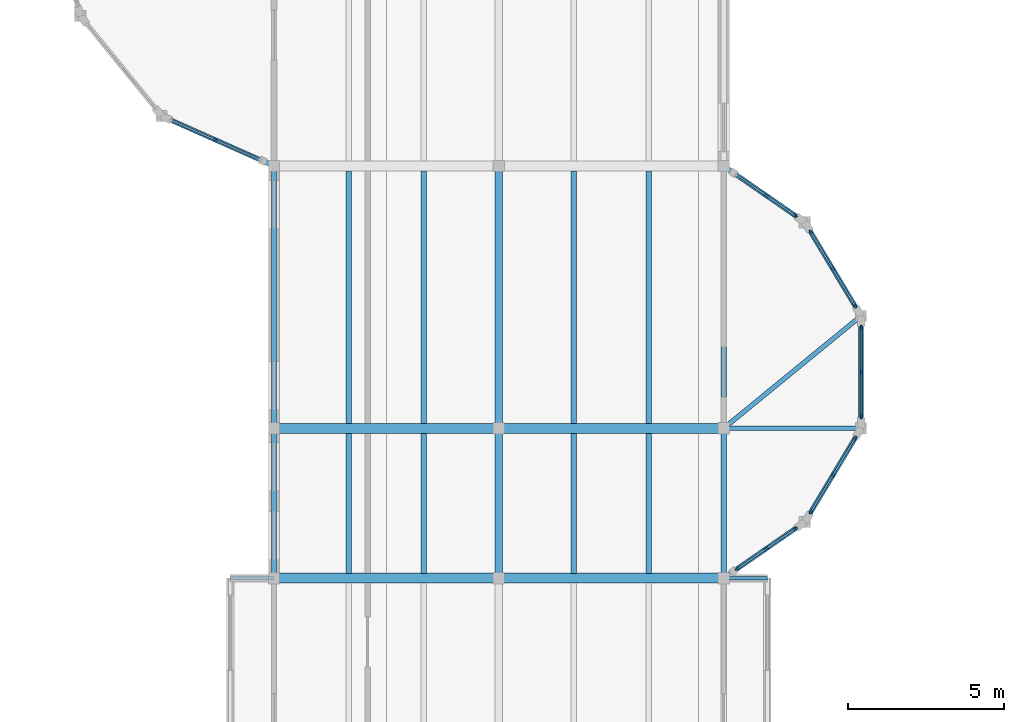
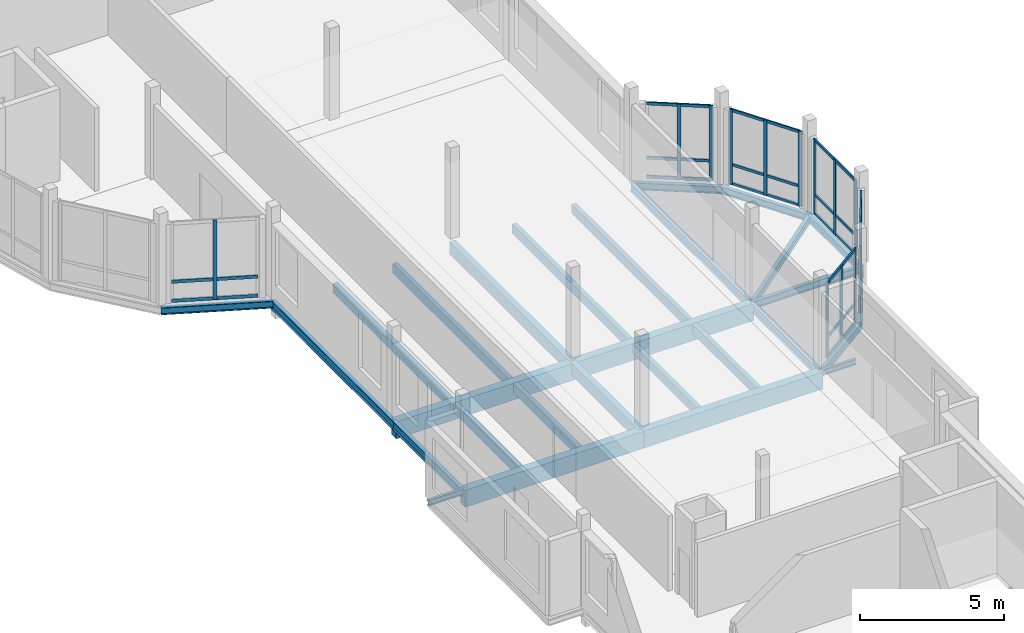
# One storey, part 19 of 57: 32 members, 28 beams, 6 elements without a shape of their own.
"""IFC4 building model written with IfcOpenShell, lengths in metres."""

from ifc_helpers import new_model, si_unit, direction, frame, origin, origin_2d, place, context, subcontext, project, spatial, rectangle, i_section, extrude, material, material_profile, profile_set, type_object, element, aggregate, save


model = new_model("IFC4")

# Units and contexts
model_context = context("Model", 3, precision=1e-05, world=origin(), true_north=direction((0.0, 1.0)))
body_context = subcontext(model_context, "Body", "Model", "MODEL_VIEW")
ifc_project = project(units=[si_unit("LENGTHUNIT", "METRE"), si_unit("AREAUNIT", "SQUARE_METRE"), si_unit("VOLUMEUNIT", "CUBIC_METRE"), si_unit("PLANEANGLEUNIT", "RADIAN"), si_unit("MASSUNIT", "GRAM", prefix="KILO")], contexts=[model_context])

# Site, building, storey
site_placement = place(None, origin())
site = spatial("IfcSite", under=ifc_project, at=site_placement, CompositionType="ELEMENT")
building_placement = place(site_placement, origin())
building = spatial("IfcBuilding", under=site, at=building_placement, Name="Kahlenmark Community Centre", CompositionType="ELEMENT")
storey_placement = place(building_placement, frame((0.0, 0.0, 13.800048828125)))
storey = spatial("IfcBuildingStorey", under=building, at=storey_placement, Name="L03", CompositionType="ELEMENT", Elevation=13.800048828125)

# Beams
ifc_material_1 = material(Name="Glulam GL32h", Category="wood")
ifc_material_profile_1 = material_profile(ifc_material_1, rectangle(XDim=0.239990234375, YDim=0.52001953125, at=origin_2d()), Name="GL32h 240x520")
ifc_profile_set_1 = profile_set([ifc_material_profile_1], Name="Glulam GL32h")
beam_type_1 = type_object("IfcBeamType", Name="BT-BEAM-GL32h240x520", PredefinedType="BEAM", material=ifc_profile_set_1)
beam_1_placement = place(storey_placement, frame((79.60009765625, 76.0, -0.4599609375), z_axis=(0.0, 1.0, 0.0), x_axis=(-1.0, 0.0, 0.0)))
element("IfcBeam", 1, at=beam_1_placement, inside=storey, type_object=beam_type_1, Name="L03 beam BG-GL32h240x520", PredefinedType="BEAM", context=body_context, shape_type="SweptSolid", body=[
    extrude(rectangle(XDim=0.239990234375, YDim=0.52001953125, at=origin_2d()), origin(), (0.0, 0.0, 1.0), 4.800048828125),
])
beam_2_placement = place(storey_placement, frame((79.60009765625, 80.800048828125, -0.4599609375), z_axis=(0.0, 1.0, 0.0), x_axis=(-1.0, 0.0, 0.0)))
element("IfcBeam", 2, at=beam_2_placement, inside=storey, type_object=beam_type_1, Name="L03 beam BG-GL32h240x520", PredefinedType="BEAM", context=body_context, shape_type="SweptSolid", body=[
    extrude(rectangle(XDim=0.239990234375, YDim=0.52001953125, at=origin_2d()), origin(), (0.0, 0.0, 1.0), 8.39990234375),
])
ifc_material_profile_2 = material_profile(ifc_material_1, rectangle(XDim=0.320068359375, YDim=0.719970703125, at=origin_2d()), Name="GL32h 320x720")
ifc_profile_set_2 = profile_set([ifc_material_profile_2], Name="Glulam GL32h")
beam_type_2 = type_object("IfcBeamType", Name="BT-BEAM-GL32h320x720", PredefinedType="BEAM", material=ifc_profile_set_2)
beam_3_placement = place(storey_placement, frame((72.39990234375, 76.0, -0.56005859375), z_axis=(1.0, 0.0, 0.0), x_axis=(0.0, 1.0, 0.0)))
element("IfcBeam", 3, at=beam_3_placement, inside=storey, type_object=beam_type_2, Name="L03 beam BG-GL32h320x720", PredefinedType="BEAM", context=body_context, shape_type="SweptSolid", body=[
    extrude(rectangle(XDim=0.320068359375, YDim=0.719970703125, at=origin_2d()), origin(), (0.0, 0.0, 1.0), 7.2001953125),
])
beam_4_placement = place(storey_placement, frame((79.60009765625, 76.0, -0.56005859375), z_axis=(1.0, 0.0, 0.0), x_axis=(0.0, 1.0, 0.0)))
element("IfcBeam", 4, at=beam_4_placement, inside=storey, type_object=beam_type_2, Name="L03 beam BG-GL32h320x720", PredefinedType="BEAM", context=body_context, shape_type="SweptSolid", body=[
    extrude(rectangle(XDim=0.320068359375, YDim=0.719970703125, at=origin_2d()), origin(), (0.0, 0.0, 1.0), 7.199951171875),
])
beam_5_placement = place(storey_placement, frame((72.39990234375, 80.800048828125, -0.56005859375), z_axis=(1.0, 0.0, 0.0), x_axis=(0.0, 1.0, 0.0)))
element("IfcBeam", 5, at=beam_5_placement, inside=storey, type_object=beam_type_2, Name="L03 beam BG-GL32h320x720", PredefinedType="BEAM", context=body_context, shape_type="SweptSolid", body=[
    extrude(rectangle(XDim=0.320068359375, YDim=0.719970703125, at=origin_2d()), origin(), (0.0, 0.0, 1.0), 7.2001953125),
])
beam_6_placement = place(storey_placement, frame((79.60009765625, 80.800048828125, -0.56005859375), z_axis=(1.0, 0.0, 0.0), x_axis=(0.0, 1.0, 0.0)))
element("IfcBeam", 6, at=beam_6_placement, inside=storey, type_object=beam_type_2, Name="L03 beam BG-GL32h320x720", PredefinedType="BEAM", context=body_context, shape_type="SweptSolid", body=[
    extrude(rectangle(XDim=0.320068359375, YDim=0.719970703125, at=origin_2d()), origin(), (0.0, 0.0, 1.0), 7.199951171875),
])
ifc_material_2 = material(Name="Steel S355", Category="steel")
ifc_material_profile_3 = material_profile(ifc_material_2, i_section(OverallWidth=0.1201171875, OverallDepth=0.239990234375, WebThickness=0.006103515625, FlangeThickness=0.009765625, at=origin_2d()), Name="IPE 240")
ifc_profile_set_3 = profile_set([ifc_material_profile_3], Name="Steel S355")
beam_type_3 = type_object("IfcBeamType", Name="BT-BEAM-IPE240", PredefinedType="BEAM", material=ifc_profile_set_3)
for number, where, z_axis, x_axis, name in (
    (7, (86.800048828125, 76.0, -0.320068359375), (1.0, 0.0, 0.0), (0.0, 1.0, 0.0), "L03 beam BG-IPE240"),
    (8, (71.0, 76.0, -0.320068359375), (1.0, 0.0, 0.0), (0.0, 1.0, 0.0), "L03 beam BG-IPE240"),
):
    element("IfcBeam", number, at=place(storey_placement, frame(where, z_axis=z_axis, x_axis=x_axis)), inside=storey, type_object=beam_type_3, Name=name, PredefinedType="BEAM", context=body_context, shape_type="SweptSolid", body=[
        extrude(i_section(OverallWidth=0.1201171875, OverallDepth=0.239990234375, WebThickness=0.006103515625, FlangeThickness=0.009765625, at=origin_2d()), origin(), (0.0, 0.0, 1.0), 1.39990234375),
    ])
ifc_material_profile_4 = material_profile(ifc_material_2, i_section(OverallWidth=0.14990234375, OverallDepth=0.300048828125, WebThickness=0.007080078125, FlangeThickness=0.0107421875, at=origin_2d()), Name="IPE 300")
ifc_profile_set_4 = profile_set([ifc_material_profile_4], Name="Steel S355")
beam_type_4 = type_object("IfcBeamType", Name="BT-BEAM-IPE300", PredefinedType="BEAM", material=ifc_profile_set_4)
beam_7_placement = place(storey_placement, frame((91.199951171875, 80.800048828125, -0.35009765625), z_axis=(-1.0, 0.0, 0.0), x_axis=(0.0, -1.0, 0.0)))
element("IfcBeam", 9, at=beam_7_placement, inside=storey, type_object=beam_type_4, Name="L03 beam BG-IPE300", PredefinedType="BEAM", context=body_context, shape_type="SweptSolid", body=[
    extrude(i_section(OverallWidth=0.14990234375, OverallDepth=0.300048828125, WebThickness=0.007080078125, FlangeThickness=0.0107421875, at=origin_2d()), origin(), (0.0, 0.0, 1.0), 4.39990234375),
])
beam_8_placement = place(storey_placement, frame((91.199951171875, 84.39990234375, -0.35009765625), z_axis=(-0.773963039406, -0.633230774389, 0.0), x_axis=(0.633230774389, -0.773963039406, 0.0)))
element("IfcBeam", 10, at=beam_8_placement, inside=storey, type_object=beam_type_4, Name="L03 beam BG-IPE300", PredefinedType="BEAM", context=body_context, shape_type="SweptSolid", body=[
    extrude(i_section(OverallWidth=0.14990234375, OverallDepth=0.300048828125, WebThickness=0.007080078125, FlangeThickness=0.0107421875, at=origin_2d()), origin(), (0.0, 0.0, 1.0), 5.684814453125),
])
ifc_material_3 = material(Name="Glulam GL28h", Category="wood")
ifc_material_profile_5 = material_profile(ifc_material_3, rectangle(XDim=0.179931640625, YDim=0.39990234375, at=origin_2d()), Name="GL28h 180x400")
ifc_profile_set_5 = profile_set([ifc_material_profile_5], Name="Glulam GL28h")
beam_type_5 = type_object("IfcBeamType", Name="BT-JOIST-GL28h180x400", PredefinedType="JOIST", material=ifc_profile_set_5)
for number, where, z_axis, x_axis, name in (
    (11, (74.800048828125, 76.157958984375, -0.400146484375), (0.0, 1.0, 0.0), (-1.0, 0.0, 0.0), "L03 joist BJ-GL28h180x400"),
    (12, (77.199951171875, 76.157958984375, -0.400146484375), (0.0, 1.0, 0.0), (-1.0, 0.0, 0.0), "L03 joist BJ-GL28h180x400"),
):
    element("IfcBeam", number, at=place(storey_placement, frame(where, z_axis=z_axis, x_axis=x_axis)), inside=storey, type_object=beam_type_5, Name=name, PredefinedType="JOIST", context=body_context, shape_type="SweptSolid", body=[
        extrude(rectangle(XDim=0.179931640625, YDim=0.39990234375, at=origin_2d()), origin(), (0.0, 0.0, 1.0), 4.484130859375),
    ])
for number, where, z_axis, x_axis, name in (
    (13, (74.800048828125, 80.9580078125, -0.400146484375), (0.0, 1.0, 0.0), (-1.0, 0.0, 0.0), "L03 joist BJ-GL28h180x400"),
    (14, (77.199951171875, 80.9580078125, -0.400146484375), (0.0, 1.0, 0.0), (-1.0, 0.0, 0.0), "L03 joist BJ-GL28h180x400"),
):
    element("IfcBeam", number, at=place(storey_placement, frame(where, z_axis=z_axis, x_axis=x_axis)), inside=storey, type_object=beam_type_5, Name=name, PredefinedType="JOIST", context=body_context, shape_type="SweptSolid", body=[
        extrude(rectangle(XDim=0.179931640625, YDim=0.39990234375, at=origin_2d()), origin(), (0.0, 0.0, 1.0), 8.083984375),
    ])
for number, where, z_axis, x_axis, name in (
    (15, (82.0, 76.157958984375, -0.400146484375), (0.0, 1.0, 0.0), (-1.0, 0.0, 0.0), "L03 joist BJ-GL28h180x400"),
    (16, (84.39990234375, 76.157958984375, -0.400146484375), (0.0, 1.0, 0.0), (-1.0, 0.0, 0.0), "L03 joist BJ-GL28h180x400"),
):
    element("IfcBeam", number, at=place(storey_placement, frame(where, z_axis=z_axis, x_axis=x_axis)), inside=storey, type_object=beam_type_5, Name=name, PredefinedType="JOIST", context=body_context, shape_type="SweptSolid", body=[
        extrude(rectangle(XDim=0.179931640625, YDim=0.39990234375, at=origin_2d()), origin(), (0.0, 0.0, 1.0), 4.484130859375),
    ])
for number, where, z_axis, x_axis, name in (
    (17, (82.0, 80.9580078125, -0.400146484375), (0.0, 1.0, 0.0), (-1.0, 0.0, 0.0), "L03 joist BJ-GL28h180x400"),
    (18, (84.39990234375, 80.9580078125, -0.400146484375), (0.0, 1.0, 0.0), (-1.0, 0.0, 0.0), "L03 joist BJ-GL28h180x400"),
):
    element("IfcBeam", number, at=place(storey_placement, frame(where, z_axis=z_axis, x_axis=x_axis)), inside=storey, type_object=beam_type_5, Name=name, PredefinedType="JOIST", context=body_context, shape_type="SweptSolid", body=[
        extrude(rectangle(XDim=0.179931640625, YDim=0.39990234375, at=origin_2d()), origin(), (0.0, 0.0, 1.0), 8.083984375),
    ])
ifc_material_profile_6 = material_profile(ifc_material_2, i_section(OverallWidth=0.14990234375, OverallDepth=0.300048828125, WebThickness=0.007080078125, FlangeThickness=0.0107421875, at=origin_2d()), Name="IPE 300")
ifc_profile_set_6 = profile_set([ifc_material_profile_6], Name="Steel S355")
beam_type_6 = type_object("IfcBeamType", Name="BT-SPANDREL-IPE300", PredefinedType="SPANDREL", material=ifc_profile_set_6)
beam_9_placement = place(storey_placement, frame((86.800048828125, 76.0, -0.35009765625), z_axis=(0.8221699556, 0.569242096219, 0.0), x_axis=(-0.569242096219, 0.8221699556, 0.0)))
element("IfcBeam", 19, at=beam_9_placement, inside=storey, type_object=beam_type_6, Name="L03 spandrel SP-IPE300", PredefinedType="SPANDREL", context=body_context, shape_type="SweptSolid", body=[
    extrude(i_section(OverallWidth=0.14990234375, OverallDepth=0.300048828125, WebThickness=0.007080078125, FlangeThickness=0.0107421875, at=origin_2d()), origin(), (0.0, 0.0, 1.0), 3.162109375),
])
beam_10_placement = place(storey_placement, frame((89.39990234375, 77.800048828125, -0.35009765625), z_axis=(0.514506017516, 0.857486768376, 0.0), x_axis=(-0.857486768376, 0.514506017516, 0.0)))
element("IfcBeam", 20, at=beam_10_placement, inside=storey, type_object=beam_type_6, Name="L03 spandrel SP-IPE300", PredefinedType="SPANDREL", context=body_context, shape_type="SweptSolid", body=[
    extrude(i_section(OverallWidth=0.14990234375, OverallDepth=0.300048828125, WebThickness=0.007080078125, FlangeThickness=0.0107421875, at=origin_2d()), origin(), (0.0, 0.0, 1.0), 3.49853515625),
])
beam_11_placement = place(storey_placement, frame((91.199951171875, 80.800048828125, -0.35009765625), z_axis=(0.0, 1.0, 0.0), x_axis=(-1.0, 0.0, 0.0)))
element("IfcBeam", 21, at=beam_11_placement, inside=storey, type_object=beam_type_6, Name="L03 spandrel SP-IPE300", PredefinedType="SPANDREL", context=body_context, shape_type="SweptSolid", body=[
    extrude(i_section(OverallWidth=0.14990234375, OverallDepth=0.300048828125, WebThickness=0.007080078125, FlangeThickness=0.0107421875, at=origin_2d()), origin(), (0.0, 0.0, 1.0), 3.599853515625),
])
beam_12_placement = place(storey_placement, frame((91.199951171875, 84.39990234375, -0.35009765625), z_axis=(-0.514506017516, 0.857486768376, 0.0), x_axis=(-0.857486768376, -0.514506017516, 0.0)))
element("IfcBeam", 22, at=beam_12_placement, inside=storey, type_object=beam_type_6, Name="L03 spandrel SP-IPE300", PredefinedType="SPANDREL", context=body_context, shape_type="SweptSolid", body=[
    extrude(i_section(OverallWidth=0.14990234375, OverallDepth=0.300048828125, WebThickness=0.007080078125, FlangeThickness=0.0107421875, at=origin_2d()), origin(), (0.0, 0.0, 1.0), 3.49853515625),
])
beam_13_placement = place(storey_placement, frame((89.39990234375, 87.39990234375, -0.35009765625), z_axis=(-0.8221699556, 0.569242096219, 0.0), x_axis=(-0.569242096219, -0.8221699556, 0.0)))
element("IfcBeam", 23, at=beam_13_placement, inside=storey, type_object=beam_type_6, Name="L03 spandrel SP-IPE300", PredefinedType="SPANDREL", context=body_context, shape_type="SweptSolid", body=[
    extrude(i_section(OverallWidth=0.14990234375, OverallDepth=0.300048828125, WebThickness=0.007080078125, FlangeThickness=0.0107421875, at=origin_2d()), origin(), (0.0, 0.0, 1.0), 3.162109375),
])
beam_14_placement = place(storey_placement, frame((68.800048828125, 90.800048828125, -0.35009765625), z_axis=(0.913796214371, -0.40617296636, 0.0), x_axis=(0.40617296636, 0.913796214371, 0.0)))
element("IfcBeam", 24, at=beam_14_placement, inside=storey, type_object=beam_type_6, Name="L03 spandrel SP-IPE300", PredefinedType="SPANDREL", context=body_context, shape_type="SweptSolid", body=[
    extrude(i_section(OverallWidth=0.14990234375, OverallDepth=0.300048828125, WebThickness=0.007080078125, FlangeThickness=0.0107421875, at=origin_2d()), origin(), (0.0, 0.0, 1.0), 3.939453125),
])
ifc_material_profile_7 = material_profile(ifc_material_2, i_section(OverallWidth=0.169921875, OverallDepth=0.360107421875, WebThickness=0.008056640625, FlangeThickness=0.0126953125, at=origin_2d()), Name="IPE 360")
ifc_profile_set_7 = profile_set([ifc_material_profile_7], Name="Steel S355")
beam_type_7 = type_object("IfcBeamType", Name="BT-SPANDREL-IPE360", PredefinedType="SPANDREL", material=ifc_profile_set_7)
beam_15_placement = place(storey_placement, frame((72.39990234375, 76.0, -0.380126953125), z_axis=(0.0, 1.0, 0.0), x_axis=(-1.0, 0.0, 0.0)))
element("IfcBeam", 25, at=beam_15_placement, inside=storey, type_object=beam_type_7, Name="L03 spandrel SP-IPE360", PredefinedType="SPANDREL", context=body_context, shape_type="SweptSolid", body=[
    extrude(i_section(OverallWidth=0.169921875, OverallDepth=0.360107421875, WebThickness=0.008056640625, FlangeThickness=0.0126953125, at=origin_2d()), origin(), (0.0, 0.0, 1.0), 4.800048828125),
])
beam_16_placement = place(storey_placement, frame((72.39990234375, 80.800048828125, -0.380126953125), z_axis=(0.0, 1.0, 0.0), x_axis=(-1.0, 0.0, 0.0)))
element("IfcBeam", 26, at=beam_16_placement, inside=storey, type_object=beam_type_7, Name="L03 spandrel SP-IPE360", PredefinedType="SPANDREL", context=body_context, shape_type="SweptSolid", body=[
    extrude(i_section(OverallWidth=0.169921875, OverallDepth=0.360107421875, WebThickness=0.008056640625, FlangeThickness=0.0126953125, at=origin_2d()), origin(), (0.0, 0.0, 1.0), 8.39990234375),
])
beam_17_placement = place(storey_placement, frame((86.800048828125, 76.0, -0.380126953125), z_axis=(0.0, 1.0, 0.0), x_axis=(-1.0, 0.0, 0.0)))
element("IfcBeam", 27, at=beam_17_placement, inside=storey, type_object=beam_type_7, Name="L03 spandrel SP-IPE360", PredefinedType="SPANDREL", context=body_context, shape_type="SweptSolid", body=[
    extrude(i_section(OverallWidth=0.169921875, OverallDepth=0.360107421875, WebThickness=0.008056640625, FlangeThickness=0.0126953125, at=origin_2d()), origin(), (0.0, 0.0, 1.0), 4.800048828125),
])
beam_18_placement = place(storey_placement, frame((86.800048828125, 80.800048828125, -0.380126953125), z_axis=(0.0, 1.0, 0.0), x_axis=(-1.0, 0.0, 0.0)))
element("IfcBeam", 28, at=beam_18_placement, inside=storey, type_object=beam_type_7, Name="L03 spandrel SP-IPE360", PredefinedType="SPANDREL", context=body_context, shape_type="SweptSolid", body=[
    extrude(i_section(OverallWidth=0.169921875, OverallDepth=0.360107421875, WebThickness=0.008056640625, FlangeThickness=0.0126953125, at=origin_2d()), origin(), (0.0, 0.0, 1.0), 8.39990234375),
])

# Curtain wall, members
ifc_material_4 = material(Name="Anodised aluminium unitised curtain wall", Category="aluminium")
curtain_wall_type_1 = type_object("IfcCurtainWallType", Name="CWT-UNIT-232X320", PredefinedType="USERDEFINED", material=ifc_material_4)
curtain_wall_1_placement = place(storey_placement, origin())
curtain_wall_1 = element("IfcCurtainWall", 29, at=curtain_wall_1_placement, inside=storey, type_object=curtain_wall_type_1, Name="Unitised curtain wall CW-161", ObjectType="UNITISED CURTAIN WALL", PredefinedType="USERDEFINED")
ifc_material_5 = material(Name="Anodised aluminium 6063-T6", Category="aluminium")
ifc_material_profile_8 = material_profile(ifc_material_5, rectangle(XDim=0.06005859375, YDim=0.139892578125, at=origin_2d()), Name="ALU MULLION 60x140")
ifc_profile_set_8 = profile_set([ifc_material_profile_8], Name="Anodised aluminium 6063-T6")
member_type_1 = type_object("IfcMemberType", Name="MT-MUL-140", PredefinedType="MULLION", material=ifc_profile_set_8)
member_1_placement = place(storey_placement, frame((87.23583984375, 76.3017578125, 0.0), z_axis=(0.0, 0.0, 1.0), x_axis=(-0.56921208065, 0.822190736534, 0.0)))
member_1 = element("IfcMember", 30, at=member_1_placement, type_object=member_type_1, Name="CW-161 mullion 1", PredefinedType="MULLION", context=body_context, shape_type="SweptSolid", body=[
    extrude(rectangle(XDim=0.06005859375, YDim=0.139892578125, at=origin_2d()), origin(), (0.0, 0.0, 1.0), 3.199951171875),
])
member_2_placement = place(storey_placement, frame((88.165771484375, 76.945556640625, 0.0), z_axis=(0.0, 0.0, 1.0), x_axis=(-0.56921208065, 0.822190736534, 0.0)))
member_2 = element("IfcMember", 31, at=member_2_placement, type_object=member_type_1, Name="CW-161 mullion 2", PredefinedType="MULLION", context=body_context, shape_type="SweptSolid", body=[
    extrude(rectangle(XDim=0.06005859375, YDim=0.139892578125, at=origin_2d()), origin(), (0.0, 0.0, 1.0), 3.199951171875),
])
member_3_placement = place(storey_placement, frame((89.095703125, 77.58935546875, 0.0), z_axis=(0.0, 0.0, 1.0), x_axis=(-0.56921208065, 0.822190736534, 0.0)))
member_3 = element("IfcMember", 32, at=member_3_placement, type_object=member_type_1, Name="CW-161 mullion 3", PredefinedType="MULLION", context=body_context, shape_type="SweptSolid", body=[
    extrude(rectangle(XDim=0.06005859375, YDim=0.139892578125, at=origin_2d()), origin(), (0.0, 0.0, 1.0), 3.199951171875),
])

curtain_wall_type_2 = type_object("IfcCurtainWallType", Name="CWT-UNIT-282X320", PredefinedType="USERDEFINED", material=ifc_material_4)
curtain_wall_2_placement = place(storey_placement, origin())
curtain_wall_2 = element("IfcCurtainWall", 33, at=curtain_wall_2_placement, inside=storey, type_object=curtain_wall_type_2, Name="Unitised curtain wall CW-162", ObjectType="UNITISED CURTAIN WALL", PredefinedType="USERDEFINED")
member_4_placement = place(storey_placement, frame((89.59033203125, 78.1171875, 0.0), z_axis=(0.0, 0.0, 1.0), x_axis=(-0.857492535386, 0.514496405972, 0.0)))
member_4 = element("IfcMember", 34, at=member_4_placement, type_object=member_type_1, Name="CW-162 mullion 1", PredefinedType="MULLION", context=body_context, shape_type="SweptSolid", body=[
    extrude(rectangle(XDim=0.06005859375, YDim=0.139892578125, at=origin_2d()), origin(), (0.0, 0.0, 1.0), 3.199951171875),
])
member_5_placement = place(storey_placement, frame((90.300048828125, 79.300048828125, 0.0), z_axis=(0.0, 0.0, 1.0), x_axis=(-0.857492535386, 0.514496405972, 0.0)))
member_5 = element("IfcMember", 35, at=member_5_placement, type_object=member_type_1, Name="CW-162 mullion 2", PredefinedType="MULLION", context=body_context, shape_type="SweptSolid", body=[
    extrude(rectangle(XDim=0.06005859375, YDim=0.139892578125, at=origin_2d()), origin(), (0.0, 0.0, 1.0), 3.199951171875),
])
member_6_placement = place(storey_placement, frame((91.009765625, 80.48291015625, 0.0), z_axis=(0.0, 0.0, 1.0), x_axis=(-0.857492535386, 0.514496405972, 0.0)))
member_6 = element("IfcMember", 36, at=member_6_placement, type_object=member_type_1, Name="CW-162 mullion 3", PredefinedType="MULLION", context=body_context, shape_type="SweptSolid", body=[
    extrude(rectangle(XDim=0.06005859375, YDim=0.139892578125, at=origin_2d()), origin(), (0.0, 0.0, 1.0), 3.199951171875),
])

curtain_wall_type_3 = type_object("IfcCurtainWallType", Name="CWT-UNIT-292X320", PredefinedType="USERDEFINED", material=ifc_material_4)
curtain_wall_3_placement = place(storey_placement, origin())
curtain_wall_3 = element("IfcCurtainWall", 37, at=curtain_wall_3_placement, inside=storey, type_object=curtain_wall_type_3, Name="Unitised curtain wall CW-163", ObjectType="UNITISED CURTAIN WALL", PredefinedType="USERDEFINED")
member_7_placement = place(storey_placement, frame((91.199951171875, 81.169921875, 0.0), z_axis=(0.0, 0.0, 1.0), x_axis=(-1.0, 0.0, 0.0)))
member_7 = element("IfcMember", 38, at=member_7_placement, type_object=member_type_1, Name="CW-163 mullion 1", PredefinedType="MULLION", context=body_context, shape_type="SweptSolid", body=[
    extrude(rectangle(XDim=0.06005859375, YDim=0.139892578125, at=origin_2d()), origin(), (0.0, 0.0, 1.0), 3.199951171875),
])
member_8_placement = place(storey_placement, frame((91.199951171875, 82.60009765625, 0.0), z_axis=(0.0, 0.0, 1.0), x_axis=(-1.0, 0.0, 0.0)))
member_8 = element("IfcMember", 39, at=member_8_placement, type_object=member_type_1, Name="CW-163 mullion 2", PredefinedType="MULLION", context=body_context, shape_type="SweptSolid", body=[
    extrude(rectangle(XDim=0.06005859375, YDim=0.139892578125, at=origin_2d()), origin(), (0.0, 0.0, 1.0), 3.199951171875),
])
member_9_placement = place(storey_placement, frame((91.199951171875, 84.030029296875, 0.0), z_axis=(0.0, 0.0, 1.0), x_axis=(-1.0, 0.0, 0.0)))
member_9 = element("IfcMember", 40, at=member_9_placement, type_object=member_type_1, Name="CW-163 mullion 3", PredefinedType="MULLION", context=body_context, shape_type="SweptSolid", body=[
    extrude(rectangle(XDim=0.06005859375, YDim=0.139892578125, at=origin_2d()), origin(), (0.0, 0.0, 1.0), 3.199951171875),
])

curtain_wall_4_placement = place(storey_placement, origin())
curtain_wall_4 = element("IfcCurtainWall", 41, at=curtain_wall_4_placement, inside=storey, type_object=curtain_wall_type_2, Name="Unitised curtain wall CW-164", ObjectType="UNITISED CURTAIN WALL", PredefinedType="USERDEFINED")
member_10_placement = place(storey_placement, frame((91.009765625, 84.71728515625, 0.0), z_axis=(0.0, 0.0, 1.0), x_axis=(-0.857492535386, -0.514496405972, 0.0)))
member_10 = element("IfcMember", 42, at=member_10_placement, type_object=member_type_1, Name="CW-164 mullion 1", PredefinedType="MULLION", context=body_context, shape_type="SweptSolid", body=[
    extrude(rectangle(XDim=0.06005859375, YDim=0.139892578125, at=origin_2d()), origin(), (0.0, 0.0, 1.0), 3.199951171875),
])
member_11_placement = place(storey_placement, frame((90.300048828125, 85.89990234375, 0.0), z_axis=(0.0, 0.0, 1.0), x_axis=(-0.857492535386, -0.514496405972, 0.0)))
member_11 = element("IfcMember", 43, at=member_11_placement, type_object=member_type_1, Name="CW-164 mullion 2", PredefinedType="MULLION", context=body_context, shape_type="SweptSolid", body=[
    extrude(rectangle(XDim=0.06005859375, YDim=0.139892578125, at=origin_2d()), origin(), (0.0, 0.0, 1.0), 3.199951171875),
])
member_12_placement = place(storey_placement, frame((89.59033203125, 87.082763671875, 0.0), z_axis=(0.0, 0.0, 1.0), x_axis=(-0.857492535386, -0.514496405972, 0.0)))
member_12 = element("IfcMember", 44, at=member_12_placement, type_object=member_type_1, Name="CW-164 mullion 3", PredefinedType="MULLION", context=body_context, shape_type="SweptSolid", body=[
    extrude(rectangle(XDim=0.06005859375, YDim=0.139892578125, at=origin_2d()), origin(), (0.0, 0.0, 1.0), 3.199951171875),
])

curtain_wall_5_placement = place(storey_placement, origin())
curtain_wall_5 = element("IfcCurtainWall", 45, at=curtain_wall_5_placement, inside=storey, type_object=curtain_wall_type_1, Name="Unitised curtain wall CW-165", ObjectType="UNITISED CURTAIN WALL", PredefinedType="USERDEFINED")
member_13_placement = place(storey_placement, frame((89.095703125, 87.610595703125, 0.0), z_axis=(0.0, 0.0, 1.0), x_axis=(-0.56921208065, -0.822190736534, 0.0)))
member_13 = element("IfcMember", 46, at=member_13_placement, type_object=member_type_1, Name="CW-165 mullion 1", PredefinedType="MULLION", context=body_context, shape_type="SweptSolid", body=[
    extrude(rectangle(XDim=0.06005859375, YDim=0.139892578125, at=origin_2d()), origin(), (0.0, 0.0, 1.0), 3.199951171875),
])
member_14_placement = place(storey_placement, frame((88.165771484375, 88.25439453125, 0.0), z_axis=(0.0, 0.0, 1.0), x_axis=(-0.56921208065, -0.822190736534, 0.0)))
member_14 = element("IfcMember", 47, at=member_14_placement, type_object=member_type_1, Name="CW-165 mullion 2", PredefinedType="MULLION", context=body_context, shape_type="SweptSolid", body=[
    extrude(rectangle(XDim=0.06005859375, YDim=0.139892578125, at=origin_2d()), origin(), (0.0, 0.0, 1.0), 3.199951171875),
])

# Curtain wall, member
curtain_wall_type_4 = type_object("IfcCurtainWallType", Name="CWT-UNIT-310X337", PredefinedType="USERDEFINED", material=ifc_material_4)
curtain_wall_6_placement = place(storey_placement, origin())
curtain_wall_6 = element("IfcCurtainWall", 48, at=curtain_wall_6_placement, inside=storey, type_object=curtain_wall_type_4, Name="Unitised curtain wall CW-184", ObjectType="UNITISED CURTAIN WALL", PredefinedType="USERDEFINED")
member_15_placement = place(storey_placement, frame((70.52685546875, 90.032470703125, 0.0), z_axis=(0.0, 0.0, 1.0), x_axis=(0.406125882643, 0.913817141143, 0.0)))
member_15 = element("IfcMember", 49, at=member_15_placement, type_object=member_type_1, Name="CW-184 mullion 2", PredefinedType="MULLION", context=body_context, shape_type="SweptSolid", body=[
    extrude(rectangle(XDim=0.06005859375, YDim=0.139892578125, at=origin_2d()), origin(), (0.0, 0.0, 1.0), 3.369873046875),
])

# Member
ifc_material_profile_9 = material_profile(ifc_material_5, rectangle(XDim=0.06005859375, YDim=0.1201171875, at=origin_2d()), Name="ALU TRANSOM 60x120")
ifc_profile_set_9 = profile_set([ifc_material_profile_9], Name="Anodised aluminium 6063-T6")
member_type_2 = type_object("IfcMemberType", Name="MT-TRN-120", PredefinedType="USERDEFINED", material=ifc_profile_set_9)
member_16_placement = place(storey_placement, frame((87.23583984375, 76.3017578125, 0.0400390625), z_axis=(0.822192191644, 0.56920997883, 0.0), x_axis=(-0.56920997883, 0.822192191644, 0.0)))
member_16 = element("IfcMember", 50, at=member_16_placement, type_object=member_type_2, Name="CW-161 transom 1", ObjectType="TRANSOM", PredefinedType="USERDEFINED", context=body_context, shape_type="SweptSolid", body=[
    extrude(rectangle(XDim=0.06005859375, YDim=0.1201171875, at=origin_2d()), origin(), (0.0, 0.0, 1.0), 2.261962890625),
])

member_17_placement = place(storey_placement, frame((87.23583984375, 76.3017578125, 0.849853515625), z_axis=(0.822192191644, 0.56920997883, 0.0), x_axis=(-0.56920997883, 0.822192191644, 0.0)))
member_17 = element("IfcMember", 51, at=member_17_placement, type_object=member_type_2, Name="CW-161 transom 2", ObjectType="TRANSOM", PredefinedType="USERDEFINED", context=body_context, shape_type="SweptSolid", body=[
    extrude(rectangle(XDim=0.06005859375, YDim=0.1201171875, at=origin_2d()), origin(), (0.0, 0.0, 1.0), 2.261962890625),
])

member_18_placement = place(storey_placement, frame((87.23583984375, 76.3017578125, 3.159912109375), z_axis=(0.822192191644, 0.56920997883, 0.0), x_axis=(-0.56920997883, 0.822192191644, 0.0)))
member_18 = element("IfcMember", 52, at=member_18_placement, type_object=member_type_2, Name="CW-161 transom 3", ObjectType="TRANSOM", PredefinedType="USERDEFINED", context=body_context, shape_type="SweptSolid", body=[
    extrude(rectangle(XDim=0.06005859375, YDim=0.1201171875, at=origin_2d()), origin(), (0.0, 0.0, 1.0), 2.261962890625),
])

aggregate(curtain_wall_1, [member_1, member_2, member_3, member_16, member_17, member_18])

member_19_placement = place(storey_placement, frame((89.59033203125, 78.1171875, 0.0400390625), z_axis=(0.514495755428, 0.857492925713, 0.0), x_axis=(-0.857492925713, 0.514495755428, 0.0)))
member_19 = element("IfcMember", 53, at=member_19_placement, type_object=member_type_2, Name="CW-162 transom 1", ObjectType="TRANSOM", PredefinedType="USERDEFINED", context=body_context, shape_type="SweptSolid", body=[
    extrude(rectangle(XDim=0.06005859375, YDim=0.1201171875, at=origin_2d()), origin(), (0.0, 0.0, 1.0), 2.7587890625),
])

member_20_placement = place(storey_placement, frame((89.59033203125, 78.1171875, 0.849853515625), z_axis=(0.514495755428, 0.857492925713, 0.0), x_axis=(-0.857492925713, 0.514495755428, 0.0)))
member_20 = element("IfcMember", 54, at=member_20_placement, type_object=member_type_2, Name="CW-162 transom 2", ObjectType="TRANSOM", PredefinedType="USERDEFINED", context=body_context, shape_type="SweptSolid", body=[
    extrude(rectangle(XDim=0.06005859375, YDim=0.1201171875, at=origin_2d()), origin(), (0.0, 0.0, 1.0), 2.7587890625),
])

member_21_placement = place(storey_placement, frame((89.59033203125, 78.1171875, 3.159912109375), z_axis=(0.514495755428, 0.857492925713, 0.0), x_axis=(-0.857492925713, 0.514495755428, 0.0)))
member_21 = element("IfcMember", 55, at=member_21_placement, type_object=member_type_2, Name="CW-162 transom 3", ObjectType="TRANSOM", PredefinedType="USERDEFINED", context=body_context, shape_type="SweptSolid", body=[
    extrude(rectangle(XDim=0.06005859375, YDim=0.1201171875, at=origin_2d()), origin(), (0.0, 0.0, 1.0), 2.7587890625),
])

aggregate(curtain_wall_2, [member_4, member_5, member_6, member_19, member_20, member_21])

member_22_placement = place(storey_placement, frame((91.199951171875, 81.169921875, 0.0400390625), z_axis=(0.0, 1.0, 0.0), x_axis=(-1.0, 0.0, 0.0)))
member_22 = element("IfcMember", 56, at=member_22_placement, type_object=member_type_2, Name="CW-163 transom 1", ObjectType="TRANSOM", PredefinedType="USERDEFINED", context=body_context, shape_type="SweptSolid", body=[
    extrude(rectangle(XDim=0.06005859375, YDim=0.1201171875, at=origin_2d()), origin(), (0.0, 0.0, 1.0), 2.860107421875),
])

member_23_placement = place(storey_placement, frame((91.199951171875, 81.169921875, 0.849853515625), z_axis=(0.0, 1.0, 0.0), x_axis=(-1.0, 0.0, 0.0)))
member_23 = element("IfcMember", 57, at=member_23_placement, type_object=member_type_2, Name="CW-163 transom 2", ObjectType="TRANSOM", PredefinedType="USERDEFINED", context=body_context, shape_type="SweptSolid", body=[
    extrude(rectangle(XDim=0.06005859375, YDim=0.1201171875, at=origin_2d()), origin(), (0.0, 0.0, 1.0), 2.860107421875),
])

member_24_placement = place(storey_placement, frame((91.199951171875, 81.169921875, 3.159912109375), z_axis=(0.0, 1.0, 0.0), x_axis=(-1.0, 0.0, 0.0)))
member_24 = element("IfcMember", 58, at=member_24_placement, type_object=member_type_2, Name="CW-163 transom 3", ObjectType="TRANSOM", PredefinedType="USERDEFINED", context=body_context, shape_type="SweptSolid", body=[
    extrude(rectangle(XDim=0.06005859375, YDim=0.1201171875, at=origin_2d()), origin(), (0.0, 0.0, 1.0), 2.860107421875),
])

aggregate(curtain_wall_3, [member_7, member_8, member_9, member_22, member_23, member_24])

member_25_placement = place(storey_placement, frame((91.009765625, 84.71728515625, 0.0400390625), z_axis=(-0.514534798693, 0.857469498544, 0.0), x_axis=(-0.857469498544, -0.514534798693, 0.0)))
member_25 = element("IfcMember", 59, at=member_25_placement, type_object=member_type_2, Name="CW-164 transom 1", ObjectType="TRANSOM", PredefinedType="USERDEFINED", context=body_context, shape_type="SweptSolid", body=[
    extrude(rectangle(XDim=0.06005859375, YDim=0.1201171875, at=origin_2d()), origin(), (0.0, 0.0, 1.0), 2.7587890625),
])

member_26_placement = place(storey_placement, frame((91.009765625, 84.71728515625, 0.849853515625), z_axis=(-0.514534798693, 0.857469498544, 0.0), x_axis=(-0.857469498544, -0.514534798693, 0.0)))
member_26 = element("IfcMember", 60, at=member_26_placement, type_object=member_type_2, Name="CW-164 transom 2", ObjectType="TRANSOM", PredefinedType="USERDEFINED", context=body_context, shape_type="SweptSolid", body=[
    extrude(rectangle(XDim=0.06005859375, YDim=0.1201171875, at=origin_2d()), origin(), (0.0, 0.0, 1.0), 2.7587890625),
])

member_27_placement = place(storey_placement, frame((91.009765625, 84.71728515625, 3.159912109375), z_axis=(-0.514534798693, 0.857469498544, 0.0), x_axis=(-0.857469498544, -0.514534798693, 0.0)))
member_27 = element("IfcMember", 61, at=member_27_placement, type_object=member_type_2, Name="CW-164 transom 3", ObjectType="TRANSOM", PredefinedType="USERDEFINED", context=body_context, shape_type="SweptSolid", body=[
    extrude(rectangle(XDim=0.06005859375, YDim=0.1201171875, at=origin_2d()), origin(), (0.0, 0.0, 1.0), 2.7587890625),
])

aggregate(curtain_wall_4, [member_10, member_11, member_12, member_25, member_26, member_27])

member_28_placement = place(storey_placement, frame((89.095703125, 87.610595703125, 0.0400390625), z_axis=(-0.822192191644, 0.56920997883, 0.0), x_axis=(-0.56920997883, -0.822192191644, 0.0)))
member_28 = element("IfcMember", 62, at=member_28_placement, type_object=member_type_2, Name="CW-165 transom 1", ObjectType="TRANSOM", PredefinedType="USERDEFINED", context=body_context, shape_type="SweptSolid", body=[
    extrude(rectangle(XDim=0.06005859375, YDim=0.1201171875, at=origin_2d()), origin(), (0.0, 0.0, 1.0), 2.261962890625),
])

member_29_placement = place(storey_placement, frame((89.095703125, 87.610595703125, 0.849853515625), z_axis=(-0.822192191644, 0.56920997883, 0.0), x_axis=(-0.56920997883, -0.822192191644, 0.0)))
member_29 = element("IfcMember", 63, at=member_29_placement, type_object=member_type_2, Name="CW-165 transom 2", ObjectType="TRANSOM", PredefinedType="USERDEFINED", context=body_context, shape_type="SweptSolid", body=[
    extrude(rectangle(XDim=0.06005859375, YDim=0.1201171875, at=origin_2d()), origin(), (0.0, 0.0, 1.0), 2.261962890625),
])

member_30_placement = place(storey_placement, frame((89.095703125, 87.610595703125, 3.159912109375), z_axis=(-0.822192191644, 0.56920997883, 0.0), x_axis=(-0.56920997883, -0.822192191644, 0.0)))
member_30 = element("IfcMember", 64, at=member_30_placement, type_object=member_type_2, Name="CW-165 transom 3", ObjectType="TRANSOM", PredefinedType="USERDEFINED", context=body_context, shape_type="SweptSolid", body=[
    extrude(rectangle(XDim=0.06005859375, YDim=0.1201171875, at=origin_2d()), origin(), (0.0, 0.0, 1.0), 2.261962890625),
])

aggregate(curtain_wall_5, [member_13, member_14, member_28, member_29, member_30])

ifc_material_profile_10 = material_profile(ifc_material_5, rectangle(XDim=0.06005859375, YDim=0.139892578125, at=origin_2d()), Name="ALU TRANSOM 60x140")
ifc_profile_set_10 = profile_set([ifc_material_profile_10], Name="Anodised aluminium 6063-T6")
member_type_3 = type_object("IfcMemberType", Name="MT-TRN-140", PredefinedType="USERDEFINED", material=ifc_profile_set_10)
member_31_placement = place(storey_placement, frame((69.13818359375, 90.649658203125, 0.0400390625), z_axis=(0.913824797144, -0.406108655565, 0.0), x_axis=(0.406108655565, 0.913824797144, 0.0)))
member_31 = element("IfcMember", 65, at=member_31_placement, type_object=member_type_3, Name="CW-184 transom 1", ObjectType="TRANSOM", PredefinedType="USERDEFINED", context=body_context, shape_type="SweptSolid", body=[
    extrude(rectangle(XDim=0.06005859375, YDim=0.139892578125, at=origin_2d()), origin(), (0.0, 0.0, 1.0), 3.03955078125),
])

member_32_placement = place(storey_placement, frame((69.13818359375, 90.649658203125, 0.849853515625), z_axis=(0.913824797144, -0.406108655565, 0.0), x_axis=(0.406108655565, 0.913824797144, 0.0)))
member_32 = element("IfcMember", 66, at=member_32_placement, type_object=member_type_3, Name="CW-184 transom 2", ObjectType="TRANSOM", PredefinedType="USERDEFINED", context=body_context, shape_type="SweptSolid", body=[
    extrude(rectangle(XDim=0.06005859375, YDim=0.139892578125, at=origin_2d()), origin(), (0.0, 0.0, 1.0), 3.03955078125),
])

aggregate(curtain_wall_6, [member_15, member_31, member_32])

save(model, "model.ifc")
